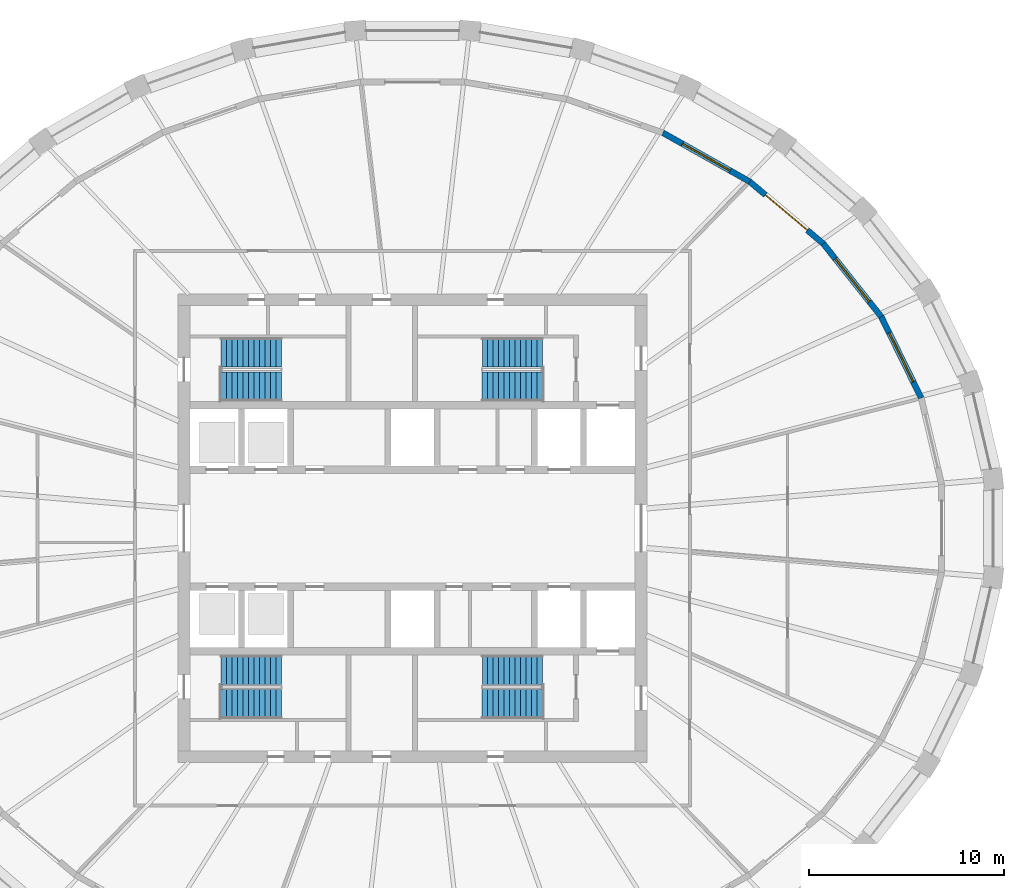
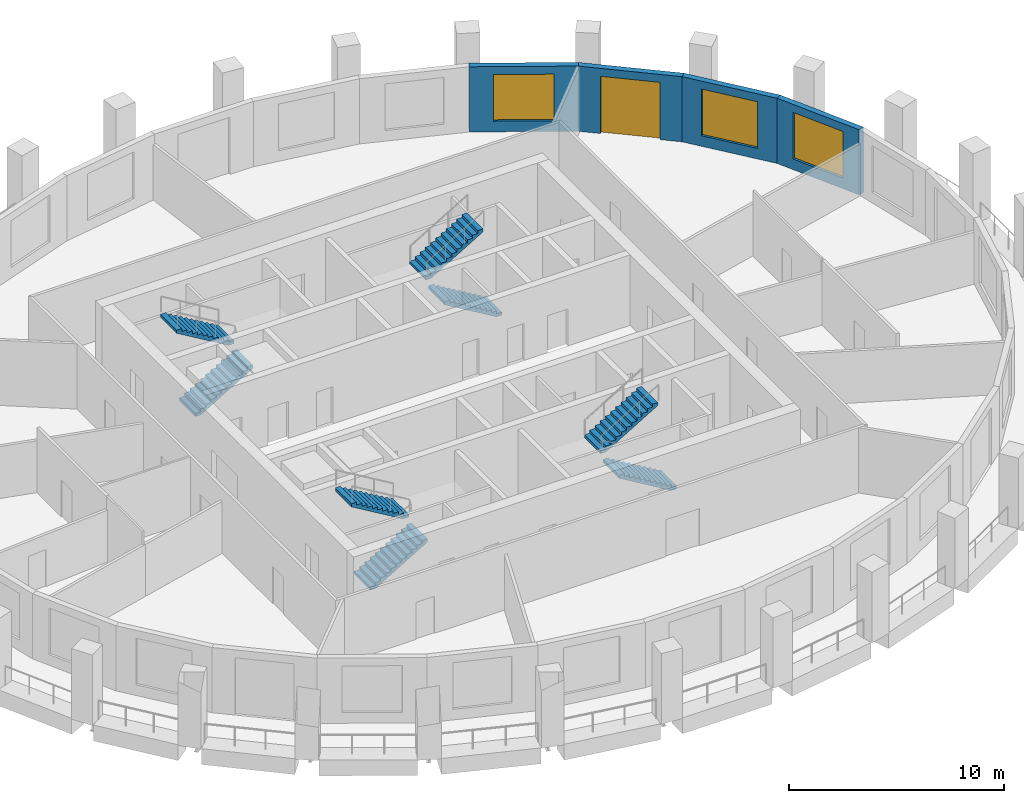
# One storey, part 7 of 10: 8 stair flights, 4 walls, 3 windows, 1 door, 4 openings, 4 elements without a shape of their own.
"""IFC4 building model written with IfcOpenShell, lengths in metres."""

from ifc_helpers import new_model, si_unit, direction, frame, frame_2d, origin, place, context, subcontext, project, spatial, polyline, rectangle, outline, extrude, material, layer, layer_set, type_object, element, fill, aggregate, save


model = new_model("IFC4")

# Units and contexts
model_context = context("Model", 3, precision=1e-05, world=origin(), true_north=direction((0.0, 1.0)))
body_context = subcontext(model_context, "Body", "Model", "MODEL_VIEW")
ifc_project = project(units=[si_unit("LENGTHUNIT", "METRE"), si_unit("AREAUNIT", "SQUARE_METRE"), si_unit("VOLUMEUNIT", "CUBIC_METRE"), si_unit("PLANEANGLEUNIT", "RADIAN"), si_unit("MASSUNIT", "GRAM", prefix="KILO")], contexts=[model_context])

# Site, building, storey
site_placement = place(None, origin())
site = spatial("IfcSite", under=ifc_project, at=site_placement, CompositionType="ELEMENT")
building_placement = place(site_placement, origin())
building = spatial("IfcBuilding", under=site, at=building_placement, Name="Halqa Exchange Tower", CompositionType="ELEMENT")
storey_placement = place(building_placement, frame((0.0, 0.0, 268.300048828125)))
storey = spatial("IfcBuildingStorey", under=building, at=storey_placement, Name="L62", CompositionType="ELEMENT", Elevation=268.300048828125)

# Wall, opening, window
ifc_material_1 = material(Name="Limestone cladding", Category="masonry")
ifc_layer_1 = layer(ifc_material_1, 0.0400390625)
ifc_material_2 = material(Name="Ventilated cavity")
ifc_layer_2 = layer(ifc_material_2, 0.030029296875, ventilated=True)
ifc_material_3 = material(Name="Mineral wool insulation")
ifc_layer_3 = layer(ifc_material_3, 0.10009765625)
ifc_material_4 = material(Name="Concrete C30/37", Category="concrete")
ifc_layer_4 = layer(ifc_material_4, 0.10009765625)
ifc_material_5 = material(Name="Internal plaster")
ifc_layer_5 = layer(ifc_material_5, 0.030029296875)
ifc_layer_set = layer_set([ifc_layer_1, ifc_layer_2, ifc_layer_3, ifc_layer_4, ifc_layer_5], Name="Stone-faced insulated wall 300")
wall_type = type_object("IfcWallType", Name="Stone-faced insulated wall 300", PredefinedType="STANDARD", material=ifc_layer_set)
wall_1_placement = place(storey_placement, frame((26.044921875, 6.669921875, 0.0), z_axis=(0.0, 0.0, 1.0), x_axis=(-0.441261940724, 0.897378348117, 0.0)))
wall_1 = element("IfcWall", 1, at=wall_1_placement, inside=storey, type_object=wall_type, Name="Glass-line wall 2", PredefinedType="STANDARD", context=body_context, shape_type="SweptSolid", body=[
    extrude(outline(polyline([(-0.016845703125, -0.14990234375), (4.65087890625, -0.14990234375), (4.61865234375, 0.14990234375), (0.016845703125, 0.14990234375), (-0.016845703125, -0.14990234375)])), origin(), (0.0, 0.0, 1.0), 3.699951171875),
])
opening_1_placement = place(wall_1_placement, frame((0.91748046875, 0.0, 0.60009765625)))
opening_1 = element("IfcOpeningElement", 2, at=opening_1_placement, cuts=wall_1, Name="Opening W-F4-02", PredefinedType="OPENING", context=body_context, shape_type="SweptSolid", body=[
    extrude(rectangle(XDim=2.800048828125, YDim=2.64990234375, at=frame_2d((1.39990234375, 1.324951171875))), frame((0.0, 0.162109375, 0.0), z_axis=(0.0, -1.0, 0.0), x_axis=(1.0, 0.0, 0.0)), (0.0, 0.0, 1.0), 0.323974609375),
])
ifc_material_6 = material(Name="Clear low-emissivity glass in aluminium frame", Category="aluminium")
window_type = type_object("IfcWindowType", Name="Fixed clear glazed window 2800 x 2650", PartitioningType="DOUBLE_PANEL_VERTICAL", PredefinedType="WINDOW", material=ifc_material_6)
window_1_placement = place(opening_1_placement, origin())
window_1 = element("IfcWindow", 3, at=window_1_placement, inside=storey, type_object=window_type, Name="Window 4", OverallHeight=2.64990234375, OverallWidth=2.800048828125, PartitioningType="DOUBLE_PANEL_VERTICAL", PredefinedType="WINDOW", context=body_context, shape_type="SweptSolid", body=[
    extrude(rectangle(XDim=2.800048828125, YDim=2.64990234375, at=frame_2d((1.39990234375, 1.324951171875))), frame((0.0, 0.030029296875, 0.0), z_axis=(0.0, -1.0, 0.0), x_axis=(1.0, 0.0, 0.0)), (0.0, 0.0, 1.0), 0.06005859375),
])
fill(opening_1, window_1)

wall_2_placement = place(storey_placement, frame((23.999755859375, 10.8291015625, 0.0), z_axis=(0.0, 0.0, 1.0), x_axis=(-0.621434755851, 0.783465917715, 0.0)))
wall_2 = element("IfcWall", 4, at=wall_2_placement, inside=storey, type_object=wall_type, Name="Glass-line wall 3", PredefinedType="STANDARD", context=body_context, shape_type="SweptSolid", body=[
    extrude(outline(polyline([(-0.01611328125, -0.14990234375), (4.7900390625, -0.14990234375), (4.759765625, 0.14990234375), (0.01611328125, 0.14990234375), (-0.01611328125, -0.14990234375)])), origin(), (0.0, 0.0, 1.0), 3.699951171875),
])
opening_2_placement = place(wall_2_placement, frame((0.9873046875, 0.0, 0.60009765625)))
opening_2 = element("IfcOpeningElement", 5, at=opening_2_placement, cuts=wall_2, Name="Opening W-F4-03", PredefinedType="OPENING", context=body_context, shape_type="SweptSolid", body=[
    extrude(rectangle(XDim=2.800048828125, YDim=2.64990234375, at=frame_2d((1.39990234375, 1.324951171875))), frame((0.0, 0.162109375, 0.0), z_axis=(0.0, -1.0, 0.0), x_axis=(1.0, 0.0, 0.0)), (0.0, 0.0, 1.0), 0.323974609375),
])
window_2_placement = place(opening_2_placement, origin())
window_2 = element("IfcWindow", 6, at=window_2_placement, inside=storey, type_object=window_type, Name="Window 4", OverallHeight=2.64990234375, OverallWidth=2.800048828125, PartitioningType="DOUBLE_PANEL_VERTICAL", PredefinedType="WINDOW", context=body_context, shape_type="SweptSolid", body=[
    extrude(rectangle(XDim=2.800048828125, YDim=2.64990234375, at=frame_2d((1.39990234375, 1.324951171875))), frame((0.0, 0.030029296875, 0.0), z_axis=(0.0, -1.0, 0.0), x_axis=(1.0, 0.0, 0.0)), (0.0, 0.0, 1.0), 0.06005859375),
])
fill(opening_2, window_2)

# Wall, opening, door
wall_3_placement = place(storey_placement, frame((21.032470703125, 14.570068359375, 0.0), z_axis=(0.0, 0.0, 1.0), x_axis=(-0.764832940795, 0.644228664897, 0.0)))
wall_3 = element("IfcWall", 7, at=wall_3_placement, inside=storey, type_object=wall_type, Name="Glass-line wall 4", PredefinedType="STANDARD", context=body_context, shape_type="SweptSolid", body=[
    extrude(outline(polyline([(-0.01513671875, -0.14990234375), (4.949462890625, -0.14990234375), (4.921142578125, 0.14990234375), (0.01513671875, 0.14990234375), (-0.01513671875, -0.14990234375)])), origin(), (0.0, 0.0, 1.0), 3.699951171875),
])
opening_3_placement = place(wall_3_placement, frame((1.067626953125, 0.0, 0.0)))
opening_3 = element("IfcOpeningElement", 8, at=opening_3_placement, cuts=wall_3, Name="Opening LG-F4-01", PredefinedType="OPENING", context=body_context, shape_type="SweptSolid", body=[
    extrude(rectangle(XDim=2.800048828125, YDim=3.25, at=frame_2d((1.39990234375, 1.625))), frame((0.0, 0.162109375, 0.0), z_axis=(0.0, -1.0, 0.0), x_axis=(1.0, 0.0, 0.0)), (0.0, 0.0, 1.0), 0.323974609375),
])
door_type = type_object("IfcDoorType", Name="Glazed sliding loggia door 2800 x 3250", OperationType="DOUBLE_DOOR_SLIDING", PredefinedType="DOOR", material=ifc_material_6)
door_placement = place(opening_3_placement, origin())
door = element("IfcDoor", 9, at=door_placement, inside=storey, type_object=door_type, Name="Loggia door 1", OperationType="DOUBLE_DOOR_SLIDING", OverallHeight=3.25, OverallWidth=2.800048828125, PredefinedType="DOOR", context=body_context, shape_type="SweptSolid", body=[
    extrude(rectangle(XDim=2.800048828125, YDim=3.25, at=frame_2d((1.39990234375, 1.625))), frame((0.0, 0.02490234375, 0.0), z_axis=(0.0, -1.0, 0.0), x_axis=(1.0, 0.0, 0.0)), (0.0, 0.0, 1.0), 0.050048828125),
])
fill(opening_3, door)

# Wall, opening, window
wall_4_placement = place(storey_placement, frame((17.2578125, 17.74951171875, 0.0), z_axis=(0.0, 0.0, 1.0), x_axis=(-0.871433320402, 0.490513983585, 0.0)))
wall_4 = element("IfcWall", 10, at=wall_4_placement, inside=storey, type_object=wall_type, Name="Glass-line wall 5", PredefinedType="STANDARD", context=body_context, shape_type="SweptSolid", body=[
    extrude(outline(polyline([(-0.01416015625, -0.14990234375), (5.103759765625, -0.14990234375), (5.076904296875, 0.14990234375), (0.01416015625, 0.14990234375), (-0.01416015625, -0.14990234375)])), origin(), (0.0, 0.0, 1.0), 3.699951171875),
])
opening_4_placement = place(wall_4_placement, frame((1.14501953125, 0.0, 0.60009765625)))
opening_4 = element("IfcOpeningElement", 11, at=opening_4_placement, cuts=wall_4, Name="Opening W-F4-05", PredefinedType="OPENING", context=body_context, shape_type="SweptSolid", body=[
    extrude(rectangle(XDim=2.800048828125, YDim=2.64990234375, at=frame_2d((1.39990234375, 1.324951171875))), frame((0.0, 0.162109375, 0.0), z_axis=(0.0, -1.0, 0.0), x_axis=(1.0, 0.0, 0.0)), (0.0, 0.0, 1.0), 0.323974609375),
])
window_3_placement = place(opening_4_placement, origin())
window_3 = element("IfcWindow", 12, at=window_3_placement, inside=storey, type_object=window_type, Name="Window 4", OverallHeight=2.64990234375, OverallWidth=2.800048828125, PartitioningType="DOUBLE_PANEL_VERTICAL", PredefinedType="WINDOW", context=body_context, shape_type="SweptSolid", body=[
    extrude(rectangle(XDim=2.800048828125, YDim=2.64990234375, at=frame_2d((1.39990234375, 1.324951171875))), frame((0.0, 0.030029296875, 0.0), z_axis=(0.0, -1.0, 0.0), x_axis=(1.0, 0.0, 0.0)), (0.0, 0.0, 1.0), 0.06005859375),
])
fill(opening_4, window_3)

# Stair, stair flights
stair_type = type_object("IfcStairType", Name="Exit stair 1500 wide", PredefinedType="HALF_TURN_STAIR", material=ifc_material_4)
stair_1_placement = place(storey_placement, origin())
stair_1 = element("IfcStair", 13, at=stair_1_placement, inside=storey, type_object=stair_type, Name="Exit stair ST1", PredefinedType="HALF_TURN_STAIR")
stair_flight_type = type_object("IfcStairFlightType", Name="Stair flight 1500 wide", PredefinedType="STRAIGHT", material=ifc_material_4)
stair_flight_1_placement = place(storey_placement, frame((-9.800048828125, 7.25, 0.0), z_axis=(0.0, 0.0, 1.0), x_axis=(1.0, 0.0, 0.0)))
stair_flight_1 = element("IfcStairFlight", 14, at=stair_flight_1_placement, type_object=stair_flight_type, Name="ST1 flight 1", NumberOfRisers=12, NumberOfTreads=11, PredefinedType="STRAIGHT", RiserHeight=0.166666667, TreadLength=0.28, context=body_context, shape_type="SweptSolid", body=[
    extrude(outline(polyline([(0.0, 0.0), (0.0, 0.166748046875), (0.280029296875, 0.166748046875), (0.280029296875, 0.333251953125), (0.56005859375, 0.333251953125), (0.56005859375, 0.5), (0.840087890625, 0.5), (0.840087890625, 0.666748046875), (1.1201171875, 0.666748046875), (1.1201171875, 0.833251953125), (1.39990234375, 0.833251953125), (1.39990234375, 1.0), (1.679931640625, 1.0), (1.679931640625, 1.166748046875), (1.9599609375, 1.166748046875), (1.9599609375, 1.333251953125), (2.239990234375, 1.333251953125), (2.239990234375, 1.5), (2.52001953125, 1.5), (2.52001953125, 1.666748046875), (2.800048828125, 1.666748046875), (2.800048828125, 1.833251953125), (3.080078125, 1.833251953125), (3.080078125, 2.0), (3.080078125, 1.658935546875), (0.29296875, 0.0), (0.0, 0.0)])), frame((0.0, 0.75, 0.0), z_axis=(0.0, -1.0, 0.0), x_axis=(1.0, 0.0, 0.0)), (0.0, 0.0, 1.0), 1.5),
])
stair_flight_2_placement = place(storey_placement, frame((-6.719970703125, 9.0, 2.0), z_axis=(0.0, 0.0, 1.0), x_axis=(-1.0, 0.0, 0.0)))
stair_flight_2 = element("IfcStairFlight", 15, at=stair_flight_2_placement, type_object=stair_flight_type, Name="ST1 flight 2", NumberOfRisers=12, NumberOfTreads=11, PredefinedType="STRAIGHT", RiserHeight=0.166666667, TreadLength=0.28, context=body_context, shape_type="SweptSolid", body=[
    extrude(outline(polyline([(0.0, 0.0), (0.0, 0.166748046875), (0.280029296875, 0.166748046875), (0.280029296875, 0.333251953125), (0.56005859375, 0.333251953125), (0.56005859375, 0.5), (0.840087890625, 0.5), (0.840087890625, 0.666748046875), (1.1201171875, 0.666748046875), (1.1201171875, 0.833251953125), (1.39990234375, 0.833251953125), (1.39990234375, 1.0), (1.679931640625, 1.0), (1.679931640625, 1.166748046875), (1.9599609375, 1.166748046875), (1.9599609375, 1.333251953125), (2.239990234375, 1.333251953125), (2.239990234375, 1.5), (2.52001953125, 1.5), (2.52001953125, 1.666748046875), (2.800048828125, 1.666748046875), (2.800048828125, 1.833251953125), (3.080078125, 1.833251953125), (3.080078125, 2.0), (3.080078125, 1.658935546875), (0.29296875, 0.0), (0.0, 0.0)])), frame((0.0, 0.75, 0.0), z_axis=(0.0, -1.0, 0.0), x_axis=(1.0, 0.0, 0.0)), (0.0, 0.0, 1.0), 1.5),
])
aggregate(stair_1, [stair_flight_1, stair_flight_2])

stair_2_placement = place(storey_placement, origin())
stair_2 = element("IfcStair", 16, at=stair_2_placement, inside=storey, type_object=stair_type, Name="Exit stair ST2", PredefinedType="HALF_TURN_STAIR")
stair_flight_3_placement = place(storey_placement, frame((6.64990234375, 7.25, 0.0), z_axis=(0.0, 0.0, 1.0), x_axis=(-1.0, 0.0, 0.0)))
stair_flight_3 = element("IfcStairFlight", 17, at=stair_flight_3_placement, type_object=stair_flight_type, Name="ST2 flight 1", NumberOfRisers=12, NumberOfTreads=11, PredefinedType="STRAIGHT", RiserHeight=0.166666667, TreadLength=0.28, context=body_context, shape_type="SweptSolid", body=[
    extrude(outline(polyline([(0.0, 0.0), (0.0, 0.166748046875), (0.280029296875, 0.166748046875), (0.280029296875, 0.333251953125), (0.56005859375, 0.333251953125), (0.56005859375, 0.5), (0.840087890625, 0.5), (0.840087890625, 0.666748046875), (1.1201171875, 0.666748046875), (1.1201171875, 0.833251953125), (1.39990234375, 0.833251953125), (1.39990234375, 1.0), (1.679931640625, 1.0), (1.679931640625, 1.166748046875), (1.9599609375, 1.166748046875), (1.9599609375, 1.333251953125), (2.239990234375, 1.333251953125), (2.239990234375, 1.5), (2.52001953125, 1.5), (2.52001953125, 1.666748046875), (2.800048828125, 1.666748046875), (2.800048828125, 1.833251953125), (3.080078125, 1.833251953125), (3.080078125, 2.0), (3.080078125, 1.658935546875), (0.29296875, 0.0), (0.0, 0.0)])), frame((0.0, 0.75, 0.0), z_axis=(0.0, -1.0, 0.0), x_axis=(1.0, 0.0, 0.0)), (0.0, 0.0, 1.0), 1.5),
])
stair_flight_4_placement = place(storey_placement, frame((3.570068359375, 9.0, 2.0), z_axis=(0.0, 0.0, 1.0), x_axis=(1.0, 0.0, 0.0)))
stair_flight_4 = element("IfcStairFlight", 18, at=stair_flight_4_placement, type_object=stair_flight_type, Name="ST2 flight 2", NumberOfRisers=12, NumberOfTreads=11, PredefinedType="STRAIGHT", RiserHeight=0.166666667, TreadLength=0.28, context=body_context, shape_type="SweptSolid", body=[
    extrude(outline(polyline([(0.0, 0.0), (0.0, 0.166748046875), (0.280029296875, 0.166748046875), (0.280029296875, 0.333251953125), (0.56005859375, 0.333251953125), (0.56005859375, 0.5), (0.840087890625, 0.5), (0.840087890625, 0.666748046875), (1.1201171875, 0.666748046875), (1.1201171875, 0.833251953125), (1.39990234375, 0.833251953125), (1.39990234375, 1.0), (1.679931640625, 1.0), (1.679931640625, 1.166748046875), (1.9599609375, 1.166748046875), (1.9599609375, 1.333251953125), (2.239990234375, 1.333251953125), (2.239990234375, 1.5), (2.52001953125, 1.5), (2.52001953125, 1.666748046875), (2.800048828125, 1.666748046875), (2.800048828125, 1.833251953125), (3.080078125, 1.833251953125), (3.080078125, 2.0), (3.080078125, 1.658935546875), (0.29296875, 0.0), (0.0, 0.0)])), frame((0.0, 0.75, 0.0), z_axis=(0.0, -1.0, 0.0), x_axis=(1.0, 0.0, 0.0)), (0.0, 0.0, 1.0), 1.5),
])
aggregate(stair_2, [stair_flight_3, stair_flight_4])

stair_3_placement = place(storey_placement, origin())
stair_3 = element("IfcStair", 19, at=stair_3_placement, inside=storey, type_object=stair_type, Name="Exit stair ST3", PredefinedType="HALF_TURN_STAIR")
stair_flight_5_placement = place(storey_placement, frame((-9.800048828125, -9.0, 0.0), z_axis=(0.0, 0.0, 1.0), x_axis=(1.0, 0.0, 0.0)))
stair_flight_5 = element("IfcStairFlight", 20, at=stair_flight_5_placement, type_object=stair_flight_type, Name="ST3 flight 1", NumberOfRisers=12, NumberOfTreads=11, PredefinedType="STRAIGHT", RiserHeight=0.166666667, TreadLength=0.28, context=body_context, shape_type="SweptSolid", body=[
    extrude(outline(polyline([(0.0, 0.0), (0.0, 0.166748046875), (0.280029296875, 0.166748046875), (0.280029296875, 0.333251953125), (0.56005859375, 0.333251953125), (0.56005859375, 0.5), (0.840087890625, 0.5), (0.840087890625, 0.666748046875), (1.1201171875, 0.666748046875), (1.1201171875, 0.833251953125), (1.39990234375, 0.833251953125), (1.39990234375, 1.0), (1.679931640625, 1.0), (1.679931640625, 1.166748046875), (1.9599609375, 1.166748046875), (1.9599609375, 1.333251953125), (2.239990234375, 1.333251953125), (2.239990234375, 1.5), (2.52001953125, 1.5), (2.52001953125, 1.666748046875), (2.800048828125, 1.666748046875), (2.800048828125, 1.833251953125), (3.080078125, 1.833251953125), (3.080078125, 2.0), (3.080078125, 1.658935546875), (0.29296875, 0.0), (0.0, 0.0)])), frame((0.0, 0.75, 0.0), z_axis=(0.0, -1.0, 0.0), x_axis=(1.0, 0.0, 0.0)), (0.0, 0.0, 1.0), 1.5),
])
stair_flight_6_placement = place(storey_placement, frame((-6.719970703125, -7.25, 2.0), z_axis=(0.0, 0.0, 1.0), x_axis=(-1.0, 0.0, 0.0)))
stair_flight_6 = element("IfcStairFlight", 21, at=stair_flight_6_placement, type_object=stair_flight_type, Name="ST3 flight 2", NumberOfRisers=12, NumberOfTreads=11, PredefinedType="STRAIGHT", RiserHeight=0.166666667, TreadLength=0.28, context=body_context, shape_type="SweptSolid", body=[
    extrude(outline(polyline([(0.0, 0.0), (0.0, 0.166748046875), (0.280029296875, 0.166748046875), (0.280029296875, 0.333251953125), (0.56005859375, 0.333251953125), (0.56005859375, 0.5), (0.840087890625, 0.5), (0.840087890625, 0.666748046875), (1.1201171875, 0.666748046875), (1.1201171875, 0.833251953125), (1.39990234375, 0.833251953125), (1.39990234375, 1.0), (1.679931640625, 1.0), (1.679931640625, 1.166748046875), (1.9599609375, 1.166748046875), (1.9599609375, 1.333251953125), (2.239990234375, 1.333251953125), (2.239990234375, 1.5), (2.52001953125, 1.5), (2.52001953125, 1.666748046875), (2.800048828125, 1.666748046875), (2.800048828125, 1.833251953125), (3.080078125, 1.833251953125), (3.080078125, 2.0), (3.080078125, 1.658935546875), (0.29296875, 0.0), (0.0, 0.0)])), frame((0.0, 0.75, 0.0), z_axis=(0.0, -1.0, 0.0), x_axis=(1.0, 0.0, 0.0)), (0.0, 0.0, 1.0), 1.5),
])
aggregate(stair_3, [stair_flight_5, stair_flight_6])

stair_4_placement = place(storey_placement, origin())
stair_4 = element("IfcStair", 22, at=stair_4_placement, inside=storey, type_object=stair_type, Name="Exit stair ST4", PredefinedType="HALF_TURN_STAIR")
stair_flight_7_placement = place(storey_placement, frame((6.64990234375, -9.0, 0.0), z_axis=(0.0, 0.0, 1.0), x_axis=(-1.0, 0.0, 0.0)))
stair_flight_7 = element("IfcStairFlight", 23, at=stair_flight_7_placement, type_object=stair_flight_type, Name="ST4 flight 1", NumberOfRisers=12, NumberOfTreads=11, PredefinedType="STRAIGHT", RiserHeight=0.166666667, TreadLength=0.28, context=body_context, shape_type="SweptSolid", body=[
    extrude(outline(polyline([(0.0, 0.0), (0.0, 0.166748046875), (0.280029296875, 0.166748046875), (0.280029296875, 0.333251953125), (0.56005859375, 0.333251953125), (0.56005859375, 0.5), (0.840087890625, 0.5), (0.840087890625, 0.666748046875), (1.1201171875, 0.666748046875), (1.1201171875, 0.833251953125), (1.39990234375, 0.833251953125), (1.39990234375, 1.0), (1.679931640625, 1.0), (1.679931640625, 1.166748046875), (1.9599609375, 1.166748046875), (1.9599609375, 1.333251953125), (2.239990234375, 1.333251953125), (2.239990234375, 1.5), (2.52001953125, 1.5), (2.52001953125, 1.666748046875), (2.800048828125, 1.666748046875), (2.800048828125, 1.833251953125), (3.080078125, 1.833251953125), (3.080078125, 2.0), (3.080078125, 1.658935546875), (0.29296875, 0.0), (0.0, 0.0)])), frame((0.0, 0.75, 0.0), z_axis=(0.0, -1.0, 0.0), x_axis=(1.0, 0.0, 0.0)), (0.0, 0.0, 1.0), 1.5),
])
stair_flight_8_placement = place(storey_placement, frame((3.570068359375, -7.25, 2.0), z_axis=(0.0, 0.0, 1.0), x_axis=(1.0, 0.0, 0.0)))
stair_flight_8 = element("IfcStairFlight", 24, at=stair_flight_8_placement, type_object=stair_flight_type, Name="ST4 flight 2", NumberOfRisers=12, NumberOfTreads=11, PredefinedType="STRAIGHT", RiserHeight=0.166666667, TreadLength=0.28, context=body_context, shape_type="SweptSolid", body=[
    extrude(outline(polyline([(0.0, 0.0), (0.0, 0.166748046875), (0.280029296875, 0.166748046875), (0.280029296875, 0.333251953125), (0.56005859375, 0.333251953125), (0.56005859375, 0.5), (0.840087890625, 0.5), (0.840087890625, 0.666748046875), (1.1201171875, 0.666748046875), (1.1201171875, 0.833251953125), (1.39990234375, 0.833251953125), (1.39990234375, 1.0), (1.679931640625, 1.0), (1.679931640625, 1.166748046875), (1.9599609375, 1.166748046875), (1.9599609375, 1.333251953125), (2.239990234375, 1.333251953125), (2.239990234375, 1.5), (2.52001953125, 1.5), (2.52001953125, 1.666748046875), (2.800048828125, 1.666748046875), (2.800048828125, 1.833251953125), (3.080078125, 1.833251953125), (3.080078125, 2.0), (3.080078125, 1.658935546875), (0.29296875, 0.0), (0.0, 0.0)])), frame((0.0, 0.75, 0.0), z_axis=(0.0, -1.0, 0.0), x_axis=(1.0, 0.0, 0.0)), (0.0, 0.0, 1.0), 1.5),
])
aggregate(stair_4, [stair_flight_7, stair_flight_8])

save(model, "model.ifc")
